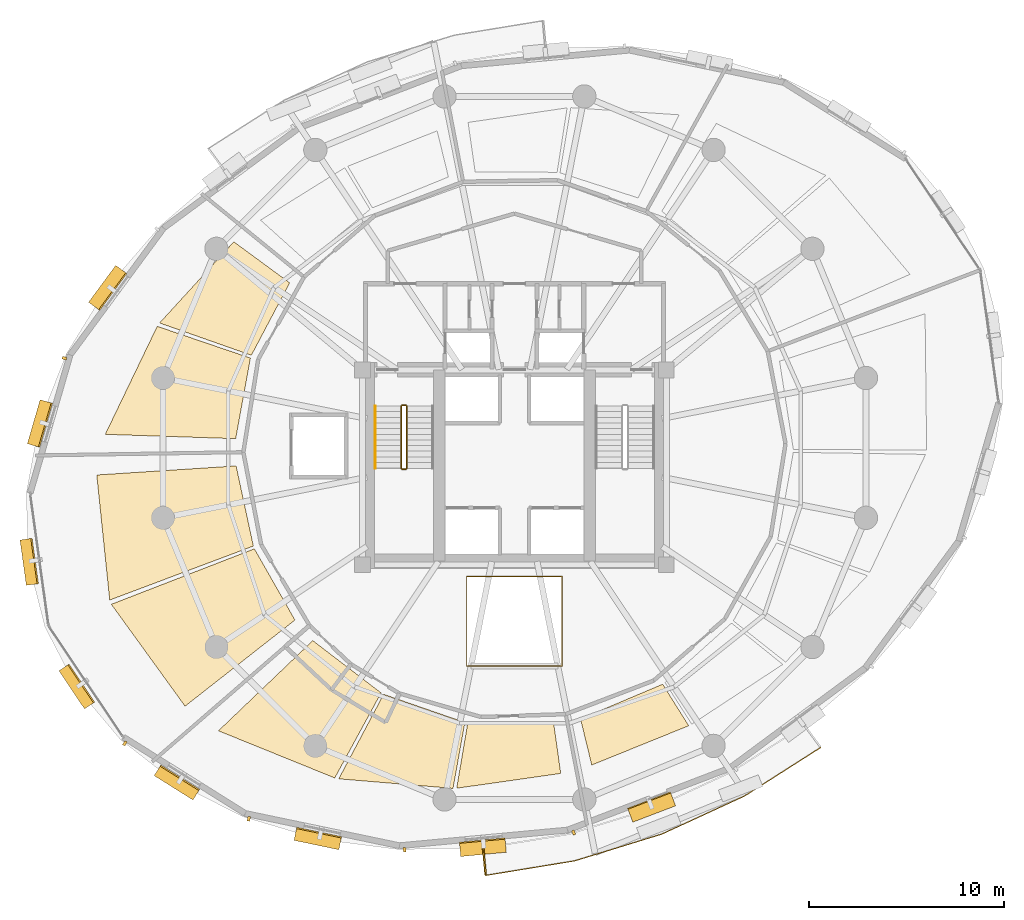
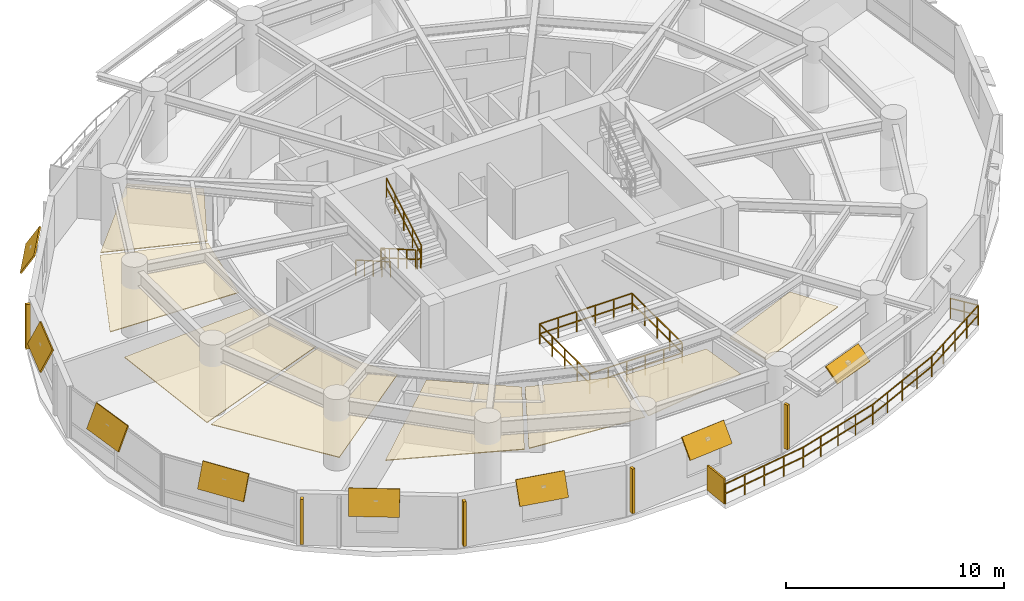
# One storey, part 13 of 15: 14 shading devices, 8 coverings, 7 railings.
"""IFC4 building model written with IfcOpenShell, lengths in metres."""

import ifcopenshell
import ifcopenshell.guid

model = None  # the IFC model being written
_history = None  # IfcOwnerHistory: only IFC2X3 demands one
_inside = {}  # id of a spatial element -> (the spatial element, [elements in it])
_under = {}  # id of a project, library or spatial element -> (it, [spatial elements below it])
_declared = {}  # id of a project -> (the project, [libraries it declares])
_typed = {}  # id of a type object -> (the type object, [elements of that type])
_made_of = {}  # id of a material, layer set ... -> (it, [elements and type objects made of it])


def new_model(schema):
    """Start an empty IFC model of exactly this schema.

    Asked for "IFC4X3", IfcOpenShell would pick the latest addendum, in which some entities
    have other attributes; the version numbers below select the first issue.
    IFC2X3 requires an IfcOwnerHistory on every rooted entity: one is made here for all.
    """
    global model, _history
    if schema == "IFC4X3":
        model = ifcopenshell.file(schema_version=(4, 3, 0, 0))
    else:
        model = ifcopenshell.file(schema=schema)
    _inside.clear()
    _under.clear()
    _declared.clear()
    _typed.clear()
    _made_of.clear()
    _history = None
    if model.schema == "IFC2X3":
        org = make("IfcOrganization", Name="unknown")
        user = make(
            "IfcPersonAndOrganization",
            ThePerson=make("IfcPerson", FamilyName="unknown"),
            TheOrganization=org,
        )
        app = make(
            "IfcApplication",
            ApplicationDeveloper=org,
            Version="unknown",
            ApplicationFullName="unknown",
            ApplicationIdentifier="unknown",
        )
        _history = make(
            "IfcOwnerHistory",
            OwningUser=user,
            OwningApplication=app,
            ChangeAction="ADDED",
            CreationDate=0,
        )
    return model


def make(cls, **values):
    """One entity of the class cls with the attributes given. An attribute that is None is left unset."""
    return model.create_entity(
        cls, **{name: value for name, value in values.items() if value is not None}
    )


def rooted(cls, **values):
    """An entity with a GlobalId (a new one), such as an element, a storey or a relation."""
    return make(cls, GlobalId=ifcopenshell.guid.new(), OwnerHistory=_history, **values)


def si_unit(unit_type, name, prefix=None):
    """IfcSIUnit, for example si_unit("LENGTHUNIT", "METRE", prefix="MILLI")."""
    return make("IfcSIUnit", UnitType=unit_type, Prefix=prefix, Name=name)


def assignment(units):
    """IfcUnitAssignment: the units of a project."""
    return None if units is None else make("IfcUnitAssignment", Units=units)


def point(xyz):
    """IfcCartesianPoint."""
    return None if xyz is None else make("IfcCartesianPoint", Coordinates=xyz)


def direction(xyz):
    """IfcDirection."""
    return None if xyz is None else make("IfcDirection", DirectionRatios=xyz)


def frame(location, z_axis=None, x_axis=None):
    """IfcAxis2Placement3D, a coordinate frame: its origin and axes. An axis left out is left unset."""
    return make(
        "IfcAxis2Placement3D",
        Location=point(location),
        Axis=direction(z_axis),
        RefDirection=direction(x_axis),
    )


def frame_2d(location, x_axis=None):
    """IfcAxis2Placement2D, a coordinate frame in the plane: its origin and x axis."""
    return make(
        "IfcAxis2Placement2D", Location=point(location), RefDirection=direction(x_axis)
    )


def origin():
    """The frame at (0, 0, 0) with its axes left unset."""
    return frame((0.0, 0.0, 0.0))


def origin_2d():
    """The frame at (0, 0) in the plane with its x axis left unset."""
    return frame_2d((0.0, 0.0))


def place(relative_to, where):
    """IfcLocalPlacement: puts the frame where relative to a parent placement (None: the world)."""
    return make(
        "IfcLocalPlacement", PlacementRelTo=relative_to, RelativePlacement=where
    )


def context(
    kind, dimensions, precision=None, world=None, true_north=None, identifier=None
):
    """IfcGeometricRepresentationContext, for example the 3D "Model" context."""
    return make(
        "IfcGeometricRepresentationContext",
        ContextIdentifier=identifier,
        ContextType=kind,
        CoordinateSpaceDimension=dimensions,
        Precision=precision,
        WorldCoordinateSystem=world,
        TrueNorth=true_north,
    )


def subcontext(parent, identifier, kind, view, scale=None):
    """IfcGeometricRepresentationSubContext, for example "Body" below "Model"."""
    return make(
        "IfcGeometricRepresentationSubContext",
        ContextIdentifier=identifier,
        ContextType=kind,
        ParentContext=parent,
        TargetScale=scale,
        TargetView=view,
    )


def project(units=None, contexts=None):
    """IfcProject with its units and contexts."""
    return rooted(
        "IfcProject",
        Name="project",
        RepresentationContexts=contexts,
        UnitsInContext=assignment(units),
    )


def spatial(cls, under=None, at=None, **own):
    """A site, building, storey or space (cls), placed at a placement, below another one or the project."""
    s = rooted(cls, ObjectPlacement=at, **own)
    if under is not None:
        _under.setdefault(under.id(), (under, []))[1].append(s)
    return s


def polyline(points):
    """IfcPolyline through the points."""
    return make("IfcPolyline", Points=[point(p) for p in points])


def profile(cls, at=None, kind="AREA", **sizes):
    """A parametric profile (cls). Its sizes go by their IFC names, for example OverallWidth=200.0."""
    return make(cls, ProfileType=kind, Position=at, **sizes)


def rectangle(**sizes):
    """IfcRectangleProfileDef."""
    return profile("IfcRectangleProfileDef", **sizes)


def outline(outer, holes=None, kind="AREA"):
    """IfcArbitraryClosedProfileDef: a profile drawn as a closed curve; with holes, ...WithVoids."""
    if holes is None:
        return make("IfcArbitraryClosedProfileDef", ProfileType=kind, OuterCurve=outer)
    return make(
        "IfcArbitraryProfileDefWithVoids",
        ProfileType=kind,
        OuterCurve=outer,
        InnerCurves=holes,
    )


def extrude(swept, where, along, depth):
    """IfcExtrudedAreaSolid: the profile swept, set in the frame where, extruded along a direction by depth."""
    return make(
        "IfcExtrudedAreaSolid",
        SweptArea=swept,
        Position=where,
        ExtrudedDirection=direction(along),
        Depth=depth,
    )


def shape(context_of_items, identifier, shape_type, items):
    """IfcShapeRepresentation: the items that make up one representation, for example the "Body"."""
    return make(
        "IfcShapeRepresentation",
        ContextOfItems=context_of_items,
        RepresentationIdentifier=identifier,
        RepresentationType=shape_type,
        Items=items,
    )


def material(Name=None, Category=None):
    """IfcMaterial."""
    return make("IfcMaterial", Name=Name, Category=Category)


def layer(
    of_material, thickness, ventilated=None, Name=None, Category=None, Priority=None
):
    """IfcMaterialLayer: one layer of a wall or slab, of a material (None: an air gap)."""
    return make(
        "IfcMaterialLayer",
        Material=of_material,
        LayerThickness=thickness,
        IsVentilated=ventilated,
        Name=Name,
        Category=Category,
        Priority=Priority,
    )


def layer_set(layers, Name=None):
    """IfcMaterialLayerSet."""
    return make("IfcMaterialLayerSet", MaterialLayers=layers, LayerSetName=Name)


def made_of(thing, what):
    """Note that an element or type object is made of a material, layer set ...; save() writes the relation."""
    if what is not None:
        _made_of.setdefault(what.id(), (what, []))[1].append(thing)
    return thing


def type_object(cls, material=None, **own):
    """A type object (cls), such as IfcWallType, which elements share."""
    return made_of(rooted(cls, **own), material)


def element(
    cls,
    number,
    at=None,
    inside=None,
    cuts=None,
    type_object=None,
    material=None,
    context=None,
    identifier="Body",
    shape_type=None,
    held_by="IfcProductDefinitionShape",
    body=None,
    shapes=None,
    **own,
):
    """One element of the class cls, such as IfcWall. Its Tag is "e" and its number.

    at: its placement. inside: the storey or other place that contains it. cuts: it is an
    opening in that element (IfcRelVoidsElement). A single representation is given by context,
    identifier, shape_type and body (its items); several are given by shapes. held_by: the class
    of the entity that holds the representations. save() writes the other relations.
    """
    e = rooted(cls, Tag="e%d" % number, ObjectPlacement=at, **own)
    if body is not None:
        shapes = [shape(context, identifier, shape_type, body)]
    if shapes is not None:
        e.Representation = make(held_by, Representations=shapes)
    if inside is not None:
        _inside.setdefault(inside.id(), (inside, []))[1].append(e)
    if cuts is not None:
        rooted(
            "IfcRelVoidsElement", RelatingBuildingElement=cuts, RelatedOpeningElement=e
        )
    if type_object is not None:
        _typed.setdefault(type_object.id(), (type_object, []))[1].append(e)
    return made_of(e, material)


def aggregate(whole, parts):
    """IfcRelAggregates: a whole, such as a stair, and the parts it consists of."""
    return rooted("IfcRelAggregates", RelatingObject=whole, RelatedObjects=parts)


def save(model, path):
    """Write the relations noted so far, then the file.

    IfcRelAggregates (storeys below a building ...), IfcRelContainedInSpatialStructure (elements
    in a storey), IfcRelDefinesByType, IfcRelAssociatesMaterial and IfcRelDeclares: one each for
    every whole, place, type object, material and project.
    """
    for whole, parts in _under.values():
        aggregate(whole, parts)
    for where, things in _inside.values():
        rooted(
            "IfcRelContainedInSpatialStructure",
            RelatedElements=things,
            RelatingStructure=where,
        )
    for kind, things in _typed.values():
        rooted("IfcRelDefinesByType", RelatedObjects=things, RelatingType=kind)
    for what, things in _made_of.values():
        rooted("IfcRelAssociatesMaterial", RelatedObjects=things, RelatingMaterial=what)
    for by, libraries in _declared.values():
        rooted("IfcRelDeclares", RelatingContext=by, RelatedDefinitions=libraries)
    model.write(path)


model = new_model("IFC4")

# Units and contexts
model_context = context("Model", 3, precision=1e-05, world=origin(), true_north=direction((0.0, 1.0)))
body_context = subcontext(model_context, "Body", "Model", "MODEL_VIEW")
ifc_project = project(units=[si_unit("LENGTHUNIT", "METRE"), si_unit("AREAUNIT", "SQUARE_METRE"), si_unit("VOLUMEUNIT", "CUBIC_METRE"), si_unit("PLANEANGLEUNIT", "RADIAN"), si_unit("MASSUNIT", "GRAM", prefix="KILO"), si_unit("THERMODYNAMICTEMPERATUREUNIT", "KELVIN"), si_unit("POWERUNIT", "WATT")], contexts=[model_context])

# Site, building, storey
site_placement = place(None, origin())
site = spatial("IfcSite", under=ifc_project, at=site_placement, CompositionType="ELEMENT")
building_placement = place(site_placement, origin())
building = spatial("IfcBuilding", under=site, at=building_placement, Name="Ocrelia Relay Tower", CompositionType="ELEMENT")
storey_placement = place(building_placement, frame((0.0, 0.0, 121.800048828125)))
storey = spatial("IfcBuildingStorey", under=building, at=storey_placement, Name="L28", CompositionType="ELEMENT", Elevation=121.800048828125)

# Coverings
ifc_material_1 = material(Name="Mineral-fiber acoustic ceiling tile", Category="gypsum")
ifc_layer_1 = layer(ifc_material_1, 0.0400390625, Name="Mineral-fiber acoustic ceiling tile")
ifc_layer_set_1 = layer_set([ifc_layer_1], Name="Mineral-fiber acoustic ceiling tile")
covering_type_1 = type_object("IfcCoveringType", Name="COV-CEIL-ACOUSTIC", PredefinedType="CEILING", material=ifc_layer_set_1)
covering_1_placement = place(storey_placement, frame((0.0, 0.0, 2.719970703125)))
element("IfcCovering", 1, at=covering_1_placement, inside=storey, type_object=covering_type_1, Name="L28 Innovation Club Room Suspended Ceiling 1", PredefinedType="CEILING", context=body_context, shape_type="SweptSolid", body=[
    extrude(outline(polyline([(23.647216796875, 16.106689453125), (18.8017578125, 11.476318359375), (24.7744140625, 9.055419921875), (27.15234375, 13.42333984375), (23.647216796875, 16.106689453125)])), origin(), (0.0, 0.0, 1.0), 0.0400390625),
])
covering_2_placement = place(storey_placement, frame((0.0, 0.0, 2.719970703125)))
element("IfcCovering", 2, at=covering_2_placement, inside=storey, type_object=covering_type_1, Name="L28 Innovation Club Room Suspended Ceiling 2", PredefinedType="CEILING", context=body_context, shape_type="SweptSolid", body=[
    extrude(outline(polyline([(27.284423828125, 13.352294921875), (24.979248046875, 9.0107421875), (30.844482421875, 8.52001953125), (31.455810546875, 11.90771484375), (27.284423828125, 13.352294921875)])), origin(), (0.0, 0.0, 1.0), 0.0400390625),
])
covering_3_placement = place(storey_placement, frame((0.0, 0.0, 2.719970703125)))
element("IfcCovering", 3, at=covering_3_placement, inside=storey, type_object=covering_type_1, Name="L28 Innovation Club Room Suspended Ceiling 3", PredefinedType="CEILING", context=body_context, shape_type="SweptSolid", body=[
    extrude(outline(polyline([(31.603759765625, 11.8818359375), (31.0341796875, 8.527587890625), (36.37841796875, 9.28759765625), (36.017578125, 11.822998046875), (31.603759765625, 11.8818359375)])), origin(), (0.0, 0.0, 1.0), 0.0400390625),
])
covering_4_placement = place(storey_placement, frame((0.0, 0.0, 2.719970703125)))
element("IfcCovering", 4, at=covering_4_placement, inside=storey, type_object=covering_type_1, Name="L28 Shift Staff Lounge Suspended Ceiling 1", PredefinedType="CEILING", context=body_context, shape_type="SweptSolid", body=[
    extrude(outline(polyline([(22.458984375, 34.4775390625), (19.592041015625, 36.583740234375), (15.781005859375, 32.416015625), (20.4931640625, 30.756591796875), (22.458984375, 34.4775390625)])), origin(), (0.0, 0.0, 1.0), 0.0400390625),
])
covering_5_placement = place(storey_placement, frame((0.0, 0.0, 2.719970703125)))
element("IfcCovering", 5, at=covering_5_placement, inside=storey, type_object=covering_type_1, Name="L28 Shift Staff Lounge Suspended Ceiling 2", PredefinedType="CEILING", context=body_context, shape_type="SweptSolid", body=[
    extrude(outline(polyline([(20.444091796875, 30.61474609375), (15.65966796875, 32.24365234375), (12.989501953125, 26.697021484375), (19.68798828125, 26.474853515625), (20.444091796875, 30.61474609375)])), origin(), (0.0, 0.0, 1.0), 0.0400390625),
])
covering_6_placement = place(storey_placement, frame((0.0, 0.0, 2.719970703125)))
element("IfcCovering", 6, at=covering_6_placement, inside=storey, type_object=covering_type_1, Name="L28 Executive Reading Study Suspended Ceiling 1", PredefinedType="CEILING", context=body_context, shape_type="SweptSolid", body=[
    extrude(outline(polyline([(19.709716796875, 25.075927734375), (12.553955078125, 24.613037109375), (13.2197265625, 18.189208984375), (20.595703125, 20.961669921875), (19.709716796875, 25.075927734375)])), origin(), (0.0, 0.0, 1.0), 0.0400390625),
])
covering_7_placement = place(storey_placement, frame((0.0, 0.0, 2.719970703125)))
element("IfcCovering", 7, at=covering_7_placement, inside=storey, type_object=covering_type_1, Name="L28 Executive Reading Study Suspended Ceiling 2", PredefinedType="CEILING", context=body_context, shape_type="SweptSolid", body=[
    extrude(outline(polyline([(20.649169921875, 20.821533203125), (13.302490234375, 17.971923828125), (17.088134765625, 12.739501953125), (22.731201171875, 17.1640625), (20.649169921875, 20.821533203125)])), origin(), (0.0, 0.0, 1.0), 0.0400390625),
])
ifc_material_2 = material(Name="Cleanroom metal-pan acoustic ceiling", Category="aluminium")
ifc_layer_2 = layer(ifc_material_2, 0.0400390625, Name="Cleanroom metal-pan acoustic ceiling")
ifc_layer_set_2 = layer_set([ifc_layer_2], Name="Cleanroom metal-pan acoustic ceiling")
covering_type_2 = type_object("IfcCoveringType", Name="COV-CEIL-CLEAN", PredefinedType="CEILING", material=ifc_layer_set_2)
covering_8_placement = place(storey_placement, frame((0.0, 0.0, 2.719970703125)))
element("IfcCovering", 8, at=covering_8_placement, inside=storey, type_object=covering_type_2, Name="L28 Optical Switching Hall A Suspended Ceiling 1", PredefinedType="CEILING", context=body_context, shape_type="SweptSolid", body=[
    extrude(outline(polyline([(37.3916015625, 12.08740234375), (37.96875, 9.719482421875), (42.947998046875, 11.73583984375), (41.609619140625, 13.869140625), (37.3916015625, 12.08740234375)])), origin(), (0.0, 0.0, 1.0), 0.0400390625),
])

# Railings
ifc_material_3 = material(Name="Steel S355 balustrade", Category="steel")
railing_type_1 = type_object("IfcRailingType", Name="RL-EXT-GUARD-1150", PredefinedType="GUARDRAIL", material=ifc_material_3)
railing_1_placement = place(storey_placement, frame((48.89892578125, 11.741943359375, 0.0)))
element("IfcRailing", 9, at=railing_1_placement, inside=storey, type_object=railing_type_1, Name="L28 Loggia Balcony Guard Rail B2", PredefinedType="GUARDRAIL", context=body_context, shape_type="SweptSolid", body=[
    extrude(rectangle(XDim=0.048095703125, YDim=0.048095703125, at=origin_2d()), frame((0.0, 0.0, 1.1259765625), z_axis=(0.595730264824, -0.803184568809, 0.0), x_axis=(0.803184568809, 0.595730264824, 0.0)), (0.0, 0.0, 1.0), 1.393310546875),
    extrude(rectangle(XDim=0.048095703125, YDim=0.048095703125, at=origin_2d()), frame((0.0, 0.0, 0.574951171875), z_axis=(0.595730264824, -0.803184568809, 0.0), x_axis=(0.803184568809, 0.595730264824, 0.0)), (0.0, 0.0, 1.0), 1.393310546875),
    extrude(rectangle(XDim=0.048095703125, YDim=0.048095703125, at=origin_2d()), frame((0.830078125, -1.119140625, 1.1259765625), z_axis=(-0.843196735798, -0.537605119711, 0.0), x_axis=(0.537605119711, -0.843196735798, 0.0)), (0.0, 0.0, 1.0), 2.316162109375),
    extrude(rectangle(XDim=0.048095703125, YDim=0.048095703125, at=origin_2d()), frame((0.830078125, -1.119140625, 0.574951171875), z_axis=(-0.843196735798, -0.537605119711, 0.0), x_axis=(0.537605119711, -0.843196735798, 0.0)), (0.0, 0.0, 1.0), 2.316162109375),
    extrude(rectangle(XDim=0.048095703125, YDim=0.048095703125, at=origin_2d()), frame((-1.122802734375, -2.3642578125, 1.1259765625), z_axis=(-0.843214055894, -0.537577953364, 0.0), x_axis=(0.537577953364, -0.843214055894, 0.0)), (0.0, 0.0, 1.0), 2.315673828125),
    extrude(rectangle(XDim=0.048095703125, YDim=0.048095703125, at=origin_2d()), frame((-1.122802734375, -2.3642578125, 0.574951171875), z_axis=(-0.843214055894, -0.537577953364, 0.0), x_axis=(0.537577953364, -0.843214055894, 0.0)), (0.0, 0.0, 1.0), 2.315673828125),
    extrude(rectangle(XDim=0.048095703125, YDim=0.048095703125, at=origin_2d()), frame((-3.075439453125, -3.609130859375, 1.1259765625), z_axis=(-0.908198832168, -0.418538984144, 0.0), x_axis=(0.418538984144, -0.908198832168, 0.0)), (0.0, 0.0, 1.0), 4.682373046875),
    extrude(rectangle(XDim=0.048095703125, YDim=0.048095703125, at=origin_2d()), frame((-3.075439453125, -3.609130859375, 0.574951171875), z_axis=(-0.908198832168, -0.418538984144, 0.0), x_axis=(0.418538984144, -0.908198832168, 0.0)), (0.0, 0.0, 1.0), 4.682373046875),
    extrude(rectangle(XDim=0.048095703125, YDim=0.048095703125, at=origin_2d()), frame((-7.327880859375, -5.56884765625, 1.1259765625), z_axis=(-0.956012101069, -0.293327227869, 0.0), x_axis=(0.293327227869, -0.956012101069, 0.0)), (0.0, 0.0, 1.0), 4.681884765625),
    extrude(rectangle(XDim=0.048095703125, YDim=0.048095703125, at=origin_2d()), frame((-7.327880859375, -5.56884765625, 0.574951171875), z_axis=(-0.956012101069, -0.293327227869, 0.0), x_axis=(0.293327227869, -0.956012101069, 0.0)), (0.0, 0.0, 1.0), 4.681884765625),
    extrude(rectangle(XDim=0.048095703125, YDim=0.048095703125, at=origin_2d()), frame((-11.8037109375, -6.942138671875, 1.1259765625), z_axis=(-0.986907551572, -0.161286963673, 0.0), x_axis=(0.161286963673, -0.986907551572, 0.0)), (0.0, 0.0, 1.0), 2.31591796875),
    extrude(rectangle(XDim=0.048095703125, YDim=0.048095703125, at=origin_2d()), frame((-11.8037109375, -6.942138671875, 0.574951171875), z_axis=(-0.986907551572, -0.161286963673, 0.0), x_axis=(0.161286963673, -0.986907551572, 0.0)), (0.0, 0.0, 1.0), 2.31591796875),
    extrude(rectangle(XDim=0.048095703125, YDim=0.048095703125, at=origin_2d()), frame((-14.08935546875, -7.315673828125, 1.1259765625), z_axis=(-0.986907551572, -0.161286963673, 0.0), x_axis=(0.161286963673, -0.986907551572, 0.0)), (0.0, 0.0, 1.0), 2.31591796875),
    extrude(rectangle(XDim=0.048095703125, YDim=0.048095703125, at=origin_2d()), frame((-14.08935546875, -7.315673828125, 0.574951171875), z_axis=(-0.986907551572, -0.161286963673, 0.0), x_axis=(0.161286963673, -0.986907551572, 0.0)), (0.0, 0.0, 1.0), 2.31591796875),
    extrude(rectangle(XDim=0.048095703125, YDim=0.048095703125, at=origin_2d()), frame((-16.375, -7.689208984375, 1.1259765625), z_axis=(-0.091451892446, 0.99580949552, 0.0), x_axis=(-0.99580949552, -0.091451892446, 0.0)), (0.0, 0.0, 1.0), 1.3935546875),
    extrude(rectangle(XDim=0.048095703125, YDim=0.048095703125, at=origin_2d()), frame((-16.375, -7.689208984375, 0.574951171875), z_axis=(-0.091451892446, 0.99580949552, 0.0), x_axis=(-0.99580949552, -0.091451892446, 0.0)), (0.0, 0.0, 1.0), 1.3935546875),
    extrude(rectangle(XDim=0.0419921875, YDim=0.0419921875, at=origin_2d()), origin(), (0.0, 0.0, 1.0), 1.101806640625),
    extrude(rectangle(XDim=0.0419921875, YDim=0.0419921875, at=origin_2d()), frame((0.4150390625, -0.5595703125, 0.0)), (0.0, 0.0, 1.0), 1.101806640625),
    extrude(rectangle(XDim=0.0419921875, YDim=0.0419921875, at=origin_2d()), frame((0.830078125, -1.119140625, 0.0)), (0.0, 0.0, 1.0), 1.101806640625),
    extrude(rectangle(XDim=0.0419921875, YDim=0.0419921875, at=origin_2d()), frame((-0.146484375, -1.74169921875, 0.0)), (0.0, 0.0, 1.0), 1.101806640625),
    extrude(rectangle(XDim=0.0419921875, YDim=0.0419921875, at=origin_2d()), frame((-1.122802734375, -2.3642578125, 0.0)), (0.0, 0.0, 1.0), 1.101806640625),
    extrude(rectangle(XDim=0.0419921875, YDim=0.0419921875, at=origin_2d()), frame((-2.09912109375, -2.98681640625, 0.0)), (0.0, 0.0, 1.0), 1.101806640625),
    extrude(rectangle(XDim=0.0419921875, YDim=0.0419921875, at=origin_2d()), frame((-3.075439453125, -3.609130859375, 0.0)), (0.0, 0.0, 1.0), 1.101806640625),
    extrude(rectangle(XDim=0.0419921875, YDim=0.0419921875, at=origin_2d()), frame((-4.138671875, -4.09912109375, 0.0)), (0.0, 0.0, 1.0), 1.101806640625),
    extrude(rectangle(XDim=0.0419921875, YDim=0.0419921875, at=origin_2d()), frame((-5.20166015625, -4.5888671875, 0.0)), (0.0, 0.0, 1.0), 1.101806640625),
    extrude(rectangle(XDim=0.0419921875, YDim=0.0419921875, at=origin_2d()), frame((-6.2646484375, -5.078857421875, 0.0)), (0.0, 0.0, 1.0), 1.101806640625),
    extrude(rectangle(XDim=0.0419921875, YDim=0.0419921875, at=origin_2d()), frame((-7.327880859375, -5.56884765625, 0.0)), (0.0, 0.0, 1.0), 1.101806640625),
    extrude(rectangle(XDim=0.0419921875, YDim=0.0419921875, at=origin_2d()), frame((-8.44677734375, -5.912109375, 0.0)), (0.0, 0.0, 1.0), 1.101806640625),
    extrude(rectangle(XDim=0.0419921875, YDim=0.0419921875, at=origin_2d()), frame((-9.56591796875, -6.25537109375, 0.0)), (0.0, 0.0, 1.0), 1.101806640625),
    extrude(rectangle(XDim=0.0419921875, YDim=0.0419921875, at=origin_2d()), frame((-10.684814453125, -6.598876953125, 0.0)), (0.0, 0.0, 1.0), 1.101806640625),
    extrude(rectangle(XDim=0.0419921875, YDim=0.0419921875, at=origin_2d()), frame((-11.8037109375, -6.942138671875, 0.0)), (0.0, 0.0, 1.0), 1.101806640625),
    extrude(rectangle(XDim=0.0419921875, YDim=0.0419921875, at=origin_2d()), frame((-12.946533203125, -7.12890625, 0.0)), (0.0, 0.0, 1.0), 1.101806640625),
    extrude(rectangle(XDim=0.0419921875, YDim=0.0419921875, at=origin_2d()), frame((-14.08935546875, -7.315673828125, 0.0)), (0.0, 0.0, 1.0), 1.101806640625),
    extrude(rectangle(XDim=0.0419921875, YDim=0.0419921875, at=origin_2d()), frame((-15.232177734375, -7.50244140625, 0.0)), (0.0, 0.0, 1.0), 1.101806640625),
    extrude(rectangle(XDim=0.0419921875, YDim=0.0419921875, at=origin_2d()), frame((-16.375, -7.689208984375, 0.0)), (0.0, 0.0, 1.0), 1.101806640625),
    extrude(rectangle(XDim=0.0419921875, YDim=0.0419921875, at=origin_2d()), frame((-16.438720703125, -6.995361328125, 0.0)), (0.0, 0.0, 1.0), 1.101806640625),
    extrude(rectangle(XDim=0.0419921875, YDim=0.0419921875, at=origin_2d()), frame((-16.50244140625, -6.301513671875, 0.0)), (0.0, 0.0, 1.0), 1.101806640625),
])
ifc_material_4 = material(Name="Steel S355 atrium balustrade", Category="steel")
railing_type_2 = type_object("IfcRailingType", Name="RL-INT-GUARD-115", PredefinedType="GUARDRAIL", material=ifc_material_4)
railing_2_placement = place(storey_placement, frame((31.550048828125, 14.800048828125, 0.0)))
element("IfcRailing", 10, at=railing_2_placement, inside=storey, type_object=railing_type_2, Name="L28 Multi-Zone Interior Atrium Guard", PredefinedType="GUARDRAIL", context=body_context, shape_type="SweptSolid", body=[
    extrude(rectangle(XDim=0.048095703125, YDim=0.048095703125, at=origin_2d()), frame((0.0, 0.0, 1.1259765625), z_axis=(1.0, 0.0, 0.0), x_axis=(0.0, 1.0, 0.0)), (0.0, 0.0, 1.0), 4.89990234375),
    extrude(rectangle(XDim=0.048095703125, YDim=0.048095703125, at=origin_2d()), frame((0.0, 0.0, 0.574951171875), z_axis=(1.0, 0.0, 0.0), x_axis=(0.0, 1.0, 0.0)), (0.0, 0.0, 1.0), 4.89990234375),
    extrude(rectangle(XDim=0.048095703125, YDim=0.048095703125, at=origin_2d()), frame((4.89990234375, 0.0, 1.1259765625), z_axis=(0.0, 1.0, 0.0), x_axis=(-1.0, 0.0, 0.0)), (0.0, 0.0, 1.0), 4.599853515625),
    extrude(rectangle(XDim=0.048095703125, YDim=0.048095703125, at=origin_2d()), frame((4.89990234375, 0.0, 0.574951171875), z_axis=(0.0, 1.0, 0.0), x_axis=(-1.0, 0.0, 0.0)), (0.0, 0.0, 1.0), 4.599853515625),
    extrude(rectangle(XDim=0.048095703125, YDim=0.048095703125, at=origin_2d()), frame((4.89990234375, 4.599853515625, 1.1259765625), z_axis=(-1.0, 0.0, 0.0), x_axis=(0.0, -1.0, 0.0)), (0.0, 0.0, 1.0), 4.89990234375),
    extrude(rectangle(XDim=0.048095703125, YDim=0.048095703125, at=origin_2d()), frame((4.89990234375, 4.599853515625, 0.574951171875), z_axis=(-1.0, 0.0, 0.0), x_axis=(0.0, -1.0, 0.0)), (0.0, 0.0, 1.0), 4.89990234375),
    extrude(rectangle(XDim=0.048095703125, YDim=0.048095703125, at=origin_2d()), frame((0.0, 4.599853515625, 1.1259765625), z_axis=(0.0, -1.0, 0.0), x_axis=(1.0, 0.0, 0.0)), (0.0, 0.0, 1.0), 4.599853515625),
    extrude(rectangle(XDim=0.048095703125, YDim=0.048095703125, at=origin_2d()), frame((0.0, 4.599853515625, 0.574951171875), z_axis=(0.0, -1.0, 0.0), x_axis=(1.0, 0.0, 0.0)), (0.0, 0.0, 1.0), 4.599853515625),
    extrude(rectangle(XDim=0.0419921875, YDim=0.0419921875, at=origin_2d()), origin(), (0.0, 0.0, 1.0), 1.101806640625),
    extrude(rectangle(XDim=0.0419921875, YDim=0.0419921875, at=origin_2d()), frame((0.97998046875, 0.0, 0.0)), (0.0, 0.0, 1.0), 1.101806640625),
    extrude(rectangle(XDim=0.0419921875, YDim=0.0419921875, at=origin_2d()), frame((1.9599609375, 0.0, 0.0)), (0.0, 0.0, 1.0), 1.101806640625),
    extrude(rectangle(XDim=0.0419921875, YDim=0.0419921875, at=origin_2d()), frame((2.93994140625, 0.0, 0.0)), (0.0, 0.0, 1.0), 1.101806640625),
    extrude(rectangle(XDim=0.0419921875, YDim=0.0419921875, at=origin_2d()), frame((3.919921875, 0.0, 0.0)), (0.0, 0.0, 1.0), 1.101806640625),
    extrude(rectangle(XDim=0.0419921875, YDim=0.0419921875, at=origin_2d()), frame((4.89990234375, 0.0, 0.0)), (0.0, 0.0, 1.0), 1.101806640625),
    extrude(rectangle(XDim=0.0419921875, YDim=0.0419921875, at=origin_2d()), frame((4.89990234375, 1.14990234375, 0.0)), (0.0, 0.0, 1.0), 1.101806640625),
    extrude(rectangle(XDim=0.0419921875, YDim=0.0419921875, at=origin_2d()), frame((4.89990234375, 2.2998046875, 0.0)), (0.0, 0.0, 1.0), 1.101806640625),
    extrude(rectangle(XDim=0.0419921875, YDim=0.0419921875, at=origin_2d()), frame((4.89990234375, 3.449951171875, 0.0)), (0.0, 0.0, 1.0), 1.101806640625),
    extrude(rectangle(XDim=0.0419921875, YDim=0.0419921875, at=origin_2d()), frame((4.89990234375, 4.599853515625, 0.0)), (0.0, 0.0, 1.0), 1.101806640625),
    extrude(rectangle(XDim=0.0419921875, YDim=0.0419921875, at=origin_2d()), frame((3.919921875, 4.599853515625, 0.0)), (0.0, 0.0, 1.0), 1.101806640625),
    extrude(rectangle(XDim=0.0419921875, YDim=0.0419921875, at=origin_2d()), frame((2.93994140625, 4.599853515625, 0.0)), (0.0, 0.0, 1.0), 1.101806640625),
    extrude(rectangle(XDim=0.0419921875, YDim=0.0419921875, at=origin_2d()), frame((1.9599609375, 4.599853515625, 0.0)), (0.0, 0.0, 1.0), 1.101806640625),
    extrude(rectangle(XDim=0.0419921875, YDim=0.0419921875, at=origin_2d()), frame((0.97998046875, 4.599853515625, 0.0)), (0.0, 0.0, 1.0), 1.101806640625),
    extrude(rectangle(XDim=0.0419921875, YDim=0.0419921875, at=origin_2d()), frame((0.0, 4.599853515625, 0.0)), (0.0, 0.0, 1.0), 1.101806640625),
    extrude(rectangle(XDim=0.0419921875, YDim=0.0419921875, at=origin_2d()), frame((0.0, 3.449951171875, 0.0)), (0.0, 0.0, 1.0), 1.101806640625),
    extrude(rectangle(XDim=0.0419921875, YDim=0.0419921875, at=origin_2d()), frame((0.0, 2.2998046875, 0.0)), (0.0, 0.0, 1.0), 1.101806640625),
    extrude(rectangle(XDim=0.0419921875, YDim=0.0419921875, at=origin_2d()), frame((0.0, 1.14990234375, 0.0)), (0.0, 0.0, 1.0), 1.101806640625),
])
railing_type_3 = type_object("IfcRailingType", Name="RL-STAIR-GUARD", PredefinedType="GUARDRAIL", material=ifc_material_3)
railing_3_placement = place(storey_placement, frame((28.179931640625, 28.14990234375, 0.16650390625)))
element("IfcRailing", 11, at=railing_3_placement, inside=storey, type_object=railing_type_3, Name="L28 ST1 stair guard 1", PredefinedType="GUARDRAIL", context=body_context, shape_type="SweptSolid", body=[
    extrude(rectangle(XDim=0.048095703125, YDim=0.048095703125, at=origin_2d()), frame((0.0, 0.0, 1.076171875), z_axis=(0.0, -0.86699087805, 0.498324008431), x_axis=(1.0, 0.0, 0.0)), (0.0, 0.0, 1.0), 3.679443359375),
    extrude(rectangle(XDim=0.048095703125, YDim=0.048095703125, at=origin_2d()), frame((0.0, 0.0, 0.550048828125), z_axis=(0.0, -0.86699087805, 0.498324008431), x_axis=(1.0, 0.0, 0.0)), (0.0, 0.0, 1.0), 3.679443359375),
    extrude(rectangle(XDim=0.0419921875, YDim=0.0419921875, at=origin_2d()), origin(), (0.0, 0.0, 1.0), 1.052001953125),
    extrude(rectangle(XDim=0.0419921875, YDim=0.0419921875, at=origin_2d()), frame((0.0, -0.79736328125, 0.45849609375)), (0.0, 0.0, 1.0), 1.052001953125),
    extrude(rectangle(XDim=0.0419921875, YDim=0.0419921875, at=origin_2d()), frame((0.0, -1.594970703125, 0.916748046875)), (0.0, 0.0, 1.0), 1.052001953125),
    extrude(rectangle(XDim=0.0419921875, YDim=0.0419921875, at=origin_2d()), frame((0.0, -2.392578125, 1.375)), (0.0, 0.0, 1.0), 1.052001953125),
    extrude(rectangle(XDim=0.0419921875, YDim=0.0419921875, at=origin_2d()), frame((0.0, -3.18994140625, 1.83349609375)), (0.0, 0.0, 1.0), 1.052001953125),
])
railing_4_placement = place(storey_placement, frame((28.22998046875, 24.909912109375, 2.0)))
element("IfcRailing", 12, at=railing_4_placement, inside=storey, type_object=railing_type_3, Name="L28 ST1 stair guard 2", PredefinedType="GUARDRAIL", context=body_context, shape_type="SweptSolid", body=[
    extrude(rectangle(XDim=0.048095703125, YDim=0.048095703125, at=origin_2d()), frame((0.0, 0.0, 1.076171875), z_axis=(1.0, 0.0, 0.0), x_axis=(0.0, 1.0, 0.0)), (0.0, 0.0, 1.0), 0.199951171875),
    extrude(rectangle(XDim=0.048095703125, YDim=0.048095703125, at=origin_2d()), frame((0.0, 0.0, 0.550048828125), z_axis=(1.0, 0.0, 0.0), x_axis=(0.0, 1.0, 0.0)), (0.0, 0.0, 1.0), 0.199951171875),
    extrude(rectangle(XDim=0.0419921875, YDim=0.0419921875, at=origin_2d()), origin(), (0.0, 0.0, 1.0), 1.052001953125),
    extrude(rectangle(XDim=0.0419921875, YDim=0.0419921875, at=origin_2d()), frame((0.199951171875, 0.0, 0.0)), (0.0, 0.0, 1.0), 1.052001953125),
])
railing_5_placement = place(storey_placement, frame((28.47998046875, 24.9599609375, 2.16650390625)))
element("IfcRailing", 13, at=railing_5_placement, inside=storey, type_object=railing_type_3, Name="L28 ST1 stair guard 3", PredefinedType="GUARDRAIL", context=body_context, shape_type="SweptSolid", body=[
    extrude(rectangle(XDim=0.048095703125, YDim=0.048095703125, at=origin_2d()), frame((0.0, 0.0, 1.076171875), z_axis=(0.0, 0.86699087805, 0.498324008431), x_axis=(-1.0, 0.0, 0.0)), (0.0, 0.0, 1.0), 3.679443359375),
    extrude(rectangle(XDim=0.048095703125, YDim=0.048095703125, at=origin_2d()), frame((0.0, 0.0, 0.550048828125), z_axis=(0.0, 0.86699087805, 0.498324008431), x_axis=(-1.0, 0.0, 0.0)), (0.0, 0.0, 1.0), 3.679443359375),
    extrude(rectangle(XDim=0.0419921875, YDim=0.0419921875, at=origin_2d()), origin(), (0.0, 0.0, 1.0), 1.052001953125),
    extrude(rectangle(XDim=0.0419921875, YDim=0.0419921875, at=origin_2d()), frame((0.0, 0.79736328125, 0.45849609375)), (0.0, 0.0, 1.0), 1.052001953125),
    extrude(rectangle(XDim=0.0419921875, YDim=0.0419921875, at=origin_2d()), frame((0.0, 1.594970703125, 0.916748046875)), (0.0, 0.0, 1.0), 1.052001953125),
    extrude(rectangle(XDim=0.0419921875, YDim=0.0419921875, at=origin_2d()), frame((0.0, 2.392578125, 1.375)), (0.0, 0.0, 1.0), 1.052001953125),
    extrude(rectangle(XDim=0.0419921875, YDim=0.0419921875, at=origin_2d()), frame((0.0, 3.18994140625, 1.83349609375)), (0.0, 0.0, 1.0), 1.052001953125),
])
railing_6_placement = place(storey_placement, frame((28.22998046875, 28.199951171875, 0.0)))
element("IfcRailing", 14, at=railing_6_placement, inside=storey, type_object=railing_type_3, Name="L28 ST1 stair guard 4", PredefinedType="GUARDRAIL", context=body_context, shape_type="SweptSolid", body=[
    extrude(rectangle(XDim=0.048095703125, YDim=0.048095703125, at=origin_2d()), frame((0.0, 0.0, 1.076171875), z_axis=(1.0, 0.0, 0.0), x_axis=(0.0, 1.0, 0.0)), (0.0, 0.0, 1.0), 0.199951171875),
    extrude(rectangle(XDim=0.048095703125, YDim=0.048095703125, at=origin_2d()), frame((0.0, 0.0, 0.550048828125), z_axis=(1.0, 0.0, 0.0), x_axis=(0.0, 1.0, 0.0)), (0.0, 0.0, 1.0), 0.199951171875),
    extrude(rectangle(XDim=0.0419921875, YDim=0.0419921875, at=origin_2d()), origin(), (0.0, 0.0, 1.0), 1.052001953125),
    extrude(rectangle(XDim=0.0419921875, YDim=0.0419921875, at=origin_2d()), frame((0.199951171875, 0.0, 0.0)), (0.0, 0.0, 1.0), 1.052001953125),
])
ifc_material_5 = material(Name="Steel S355 tubular handrail", Category="steel")
railing_type_4 = type_object("IfcRailingType", Name="RL-STAIR-HAND", PredefinedType="HANDRAIL", material=ifc_material_5)
railing_7_placement = place(storey_placement, frame((26.860107421875, 28.14990234375, 0.16650390625)))
element("IfcRailing", 15, at=railing_7_placement, inside=storey, type_object=railing_type_4, Name="L28 ST1 stair handrail 1", PredefinedType="HANDRAIL", context=body_context, shape_type="SweptSolid", body=[
    extrude(rectangle(XDim=0.048095703125, YDim=0.048095703125, at=origin_2d()), frame((0.0, 0.0, 0.8759765625), z_axis=(0.0, -0.86699087805, 0.498324008431), x_axis=(1.0, 0.0, 0.0)), (0.0, 0.0, 1.0), 3.679443359375),
    extrude(rectangle(XDim=0.0419921875, YDim=0.0419921875, at=origin_2d()), origin(), (0.0, 0.0, 1.0), 0.851806640625),
    extrude(rectangle(XDim=0.0419921875, YDim=0.0419921875, at=origin_2d()), frame((0.0, -0.79736328125, 0.45849609375)), (0.0, 0.0, 1.0), 0.851806640625),
    extrude(rectangle(XDim=0.0419921875, YDim=0.0419921875, at=origin_2d()), frame((0.0, -1.594970703125, 0.916748046875)), (0.0, 0.0, 1.0), 0.851806640625),
    extrude(rectangle(XDim=0.0419921875, YDim=0.0419921875, at=origin_2d()), frame((0.0, -2.392578125, 1.375)), (0.0, 0.0, 1.0), 0.851806640625),
    extrude(rectangle(XDim=0.0419921875, YDim=0.0419921875, at=origin_2d()), frame((0.0, -3.18994140625, 1.83349609375)), (0.0, 0.0, 1.0), 0.851806640625),
])

# Shading devices
ifc_material_6 = material(Name="Perforated oxide terracotta solar screen", Category="masonry")
ifc_layer_3 = layer(ifc_material_6, 0.090087890625, Name="Perforated oxide terracotta solar screen")
ifc_layer_set_3 = layer_set([ifc_layer_3], Name="Perforated oxide terracotta solar screen")
shading_device_type_1 = type_object("IfcShadingDeviceType", Name="SH-BALC-SCREEN", PredefinedType="USERDEFINED", material=ifc_layer_set_3)
shading_device_1_placement = place(storey_placement, frame((32.460205078125, 4.74658203125, 0.0), z_axis=(0.0, 0.0, 1.0), x_axis=(0.091422121493, -0.995812229138, 0.0)))
element("IfcShadingDevice", 16, at=shading_device_1_placement, inside=storey, type_object=shading_device_type_1, Name="L28 Balcony Perforated Terracotta Screen B2-1", ObjectType="SCREEN", PredefinedType="USERDEFINED", context=body_context, shape_type="SweptSolid", body=[
    extrude(rectangle(XDim=1.340087890625, YDim=0.090087890625, at=origin_2d()), origin(), (0.0, 0.0, 1.0), 1.39990234375),
])
ifc_material_7 = material(Name="Extruded oxide terracotta vertical baguette", Category="masonry")
shading_device_type_2 = type_object("IfcShadingDeviceType", Name="SH-TERR-BAGUETTE", PredefinedType="USERDEFINED", material=ifc_material_7)
for number, where, z_axis, x_axis, name in (
    (17, (10.8974609375, 30.607177734375, 0.199951171875), (0.0, 0.0, 1.0), (-0.277641047017, -0.960684885387, 0.0), "L28 Oxide Terracotta Vertical Baguette 08"),
    (18, (13.999267578125, 10.83349609375, 0.199951171875), (0.0, 0.0, 1.0), (0.84730591925, -0.531105148914, 0.0), "L28 Oxide Terracotta Vertical Baguette 11"),
    (19, (20.36181640625, 6.960205078125, 0.199951171875), (0.0, 0.0, 1.0), (0.978803181401, -0.204803154465, 0.0), "L28 Oxide Terracotta Vertical Baguette 12"),
    (20, (28.35791015625, 5.369873046875, 0.199951171875), (0.0, 0.0, 1.0), (0.995678781799, 0.092864220641, 0.0), "L28 Oxide Terracotta Vertical Baguette 13"),
    (21, (37.039306640625, 6.252685546875, 0.199951171875), (0.0, 0.0, 1.0), (0.934203597338, 0.356740295903, 0.0), "L28 Oxide Terracotta Vertical Baguette 14"),
):
    element("IfcShadingDevice", number, at=place(storey_placement, frame(where, z_axis=z_axis, x_axis=x_axis)), inside=storey, type_object=shading_device_type_2, Name=name, ObjectType="BAGUETTE", PredefinedType="USERDEFINED", context=body_context, shape_type="SweptSolid", body=[
        extrude(rectangle(XDim=0.139892578125, YDim=0.239990234375, at=origin_2d()), origin(), (0.0, 0.0, 1.0), 2.5),
    ])
ifc_material_8 = material(Name="Extruded oxide terracotta fin", Category="masonry")
ifc_layer_4 = layer(ifc_material_8, 0.080078125, Name="Extruded oxide terracotta fin")
ifc_layer_set_4 = layer_set([ifc_layer_4], Name="Extruded oxide terracotta fin")
shading_device_type_3 = type_object("IfcShadingDeviceType", Name="SH-VISOR-FIN-DEEP", PredefinedType="USERDEFINED", material=ifc_layer_set_4)
shading_device_2_placement = place(storey_placement, frame((13.1455078125, 34.1962890625, 2.718994140625), z_axis=(-0.686660572065, 0.505923822346, 0.522052051767), x_axis=(-0.593171226591, -0.805076329266, 0.0)))
element("IfcShadingDevice", 22, at=shading_device_2_placement, inside=storey, type_object=shading_device_type_3, Name="L28 Canted Terracotta Sun-Visor Fin 07", ObjectType="FIN", PredefinedType="USERDEFINED", context=body_context, shape_type="SweptSolid", body=[
    extrude(rectangle(XDim=2.35009765625, YDim=1.22509765625, at=origin_2d()), origin(), (0.0, 0.0, 1.0), 0.080078125),
])
shading_device_3_placement = place(storey_placement, frame((9.67041015625, 27.244384765625, 2.721923828125), z_axis=(-0.857493704698, 0.247818461188, 0.450877540689), x_axis=(-0.277641047017, -0.960684885387, 0.0)))
element("IfcShadingDevice", 23, at=shading_device_3_placement, inside=storey, type_object=shading_device_type_3, Name="L28 Canted Terracotta Sun-Visor Fin 08", ObjectType="FIN", PredefinedType="USERDEFINED", context=body_context, shape_type="SweptSolid", body=[
    extrude(rectangle(XDim=2.35009765625, YDim=1.302978515625, at=origin_2d()), origin(), (0.0, 0.0, 1.0), 0.080078125),
])
shading_device_4_placement = place(storey_placement, frame((9.124267578125, 20.15673828125, 2.723388671875), z_axis=(-0.901185408668, -0.125549321169, 0.414852054542), x_axis=(0.137983136196, -0.990434578418, 0.0)))
element("IfcShadingDevice", 24, at=shading_device_4_placement, inside=storey, type_object=shading_device_type_3, Name="L28 Canted Terracotta Sun-Visor Fin 09", ObjectType="FIN", PredefinedType="USERDEFINED", context=body_context, shape_type="SweptSolid", body=[
    extrude(rectangle(XDim=2.35009765625, YDim=1.342041015625, at=origin_2d()), origin(), (0.0, 0.0, 1.0), 0.080078125),
])
shading_device_5_placement = place(storey_placement, frame((11.559326171875, 13.774658203125, 2.7236328125), z_axis=(-0.758233664303, -0.508918449315, 0.407533706906), x_axis=(0.5572973393, -0.830312998579, 0.0)))
element("IfcShadingDevice", 25, at=shading_device_5_placement, inside=storey, type_object=shading_device_type_3, Name="L28 Canted Terracotta Sun-Visor Fin 10", ObjectType="FIN", PredefinedType="USERDEFINED", context=body_context, shape_type="SweptSolid", body=[
    extrude(rectangle(XDim=2.35009765625, YDim=1.34912109375, at=origin_2d()), origin(), (0.0, 0.0, 1.0), 0.080078125),
])
shading_device_6_placement = place(storey_placement, frame((16.68798828125, 8.851806640625, 2.722900390625), z_axis=(-0.479726257643, -0.765337896933, 0.42909278862), x_axis=(0.84730591925, -0.531105148914, 0.0)))
element("IfcShadingDevice", 26, at=shading_device_6_placement, inside=storey, type_object=shading_device_type_3, Name="L28 Canted Terracotta Sun-Visor Fin 11", ObjectType="FIN", PredefinedType="USERDEFINED", context=body_context, shape_type="SweptSolid", body=[
    extrude(rectangle(XDim=2.35009765625, YDim=1.325927734375, at=origin_2d()), origin(), (0.0, 0.0, 1.0), 0.080078125),
])
shading_device_7_placement = place(storey_placement, frame((23.911865234375, 5.98046875, 2.720458984375), z_axis=(-0.178846905421, -0.854752068966, 0.487250125725), x_axis=(0.978803181401, -0.204803154465, 0.0)))
element("IfcShadingDevice", 27, at=shading_device_7_placement, inside=storey, type_object=shading_device_type_3, Name="L28 Canted Terracotta Sun-Visor Fin 12", ObjectType="FIN", PredefinedType="USERDEFINED", context=body_context, shape_type="SweptSolid", body=[
    extrude(rectangle(XDim=2.35009765625, YDim=1.263916015625, at=origin_2d()), origin(), (0.0, 0.0, 1.0), 0.080078125),
])
ifc_layer_5 = layer(ifc_material_8, 0.080078125, Name="Extruded oxide terracotta fin")
ifc_layer_set_5 = layer_set([ifc_layer_5], Name="Extruded oxide terracotta fin")
shading_device_type_4 = type_object("IfcShadingDeviceType", Name="SH-VISOR-FIN-MED", PredefinedType="USERDEFINED", material=ifc_layer_set_5)
shading_device_8_placement = place(storey_placement, frame((32.374267578125, 5.53173828125, 2.71630859375), z_axis=(0.074966447571, -0.803781054512, 0.590183063249), x_axis=(0.995678781799, 0.092864220641, 0.0)))
element("IfcShadingDevice", 28, at=shading_device_8_placement, inside=storey, type_object=shading_device_type_4, Name="L28 Canted Terracotta Sun-Visor Fin 13", ObjectType="FIN", PredefinedType="USERDEFINED", context=body_context, shape_type="SweptSolid", body=[
    extrude(rectangle(XDim=2.35009765625, YDim=1.14697265625, at=origin_2d()), origin(), (0.0, 0.0, 1.0), 0.080078125),
])
shading_device_9_placement = place(storey_placement, frame((41.031005859375, 7.588134765625, 2.7109375), z_axis=(0.246555608846, -0.645660552994, 0.722725938412), x_axis=(0.934203597338, 0.356740295903, 0.0)))
element("IfcShadingDevice", 29, at=shading_device_9_placement, inside=storey, type_object=shading_device_type_4, Name="L28 Canted Terracotta Sun-Visor Fin 14", ObjectType="FIN", PredefinedType="USERDEFINED", context=body_context, shape_type="SweptSolid", body=[
    extrude(rectangle(XDim=2.35009765625, YDim=0.97900390625, at=origin_2d()), origin(), (0.0, 0.0, 1.0), 0.080078125),
])

save(model, "model.ifc")
